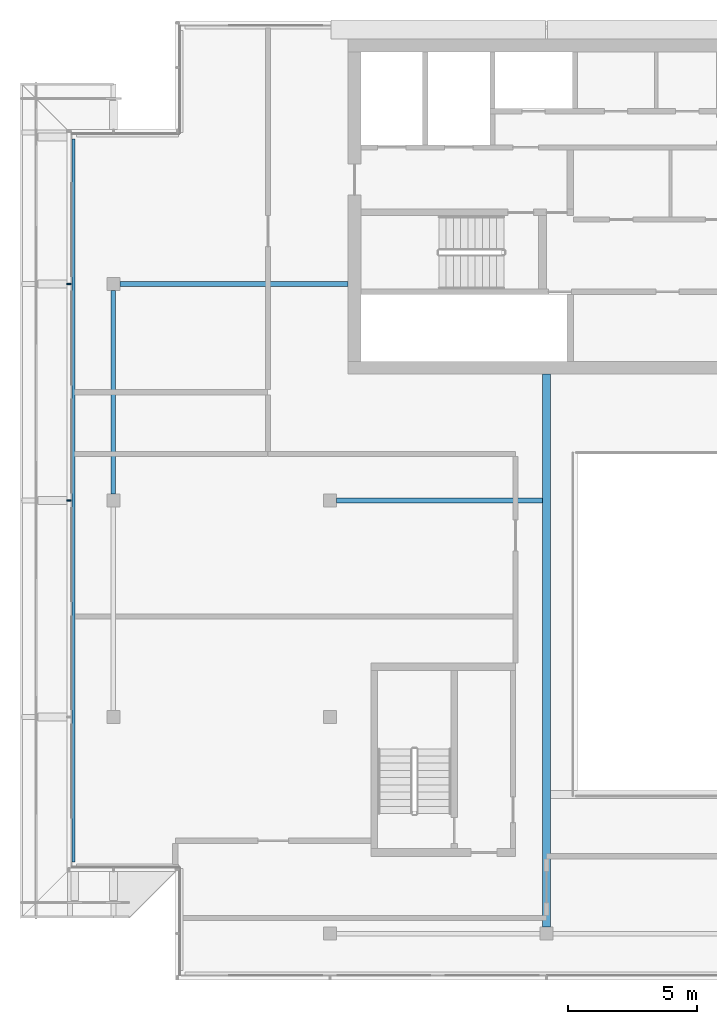
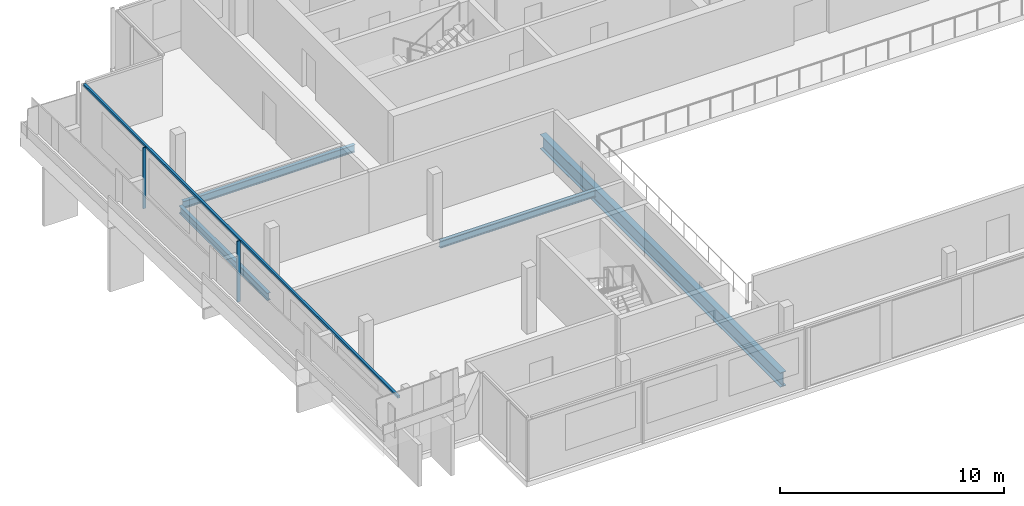
# One storey, part 3 of 20: 4 beams, 3 members, 1 element without a shape of its own.
"""IFC4 building model written with IfcOpenShell, lengths in metres."""

from ifc_helpers import new_model, si_unit, direction, frame, origin, origin_2d, place, context, subcontext, project, spatial, rectangle, i_section, extrude, material, material_profile, profile_set, type_object, element, aggregate, save


model = new_model("IFC4")

# Units and contexts
model_context = context("Model", 3, precision=1e-05, world=origin(), true_north=direction((0.0, 1.0)))
body_context = subcontext(model_context, "Body", "Model", "MODEL_VIEW")
ifc_project = project(units=[si_unit("LENGTHUNIT", "METRE"), si_unit("AREAUNIT", "SQUARE_METRE"), si_unit("VOLUMEUNIT", "CUBIC_METRE"), si_unit("PLANEANGLEUNIT", "RADIAN"), si_unit("MASSUNIT", "GRAM", prefix="KILO")], contexts=[model_context])

# Site, building, storey
site_placement = place(None, origin())
site = spatial("IfcSite", under=ifc_project, at=site_placement, CompositionType="ELEMENT")
building_placement = place(site_placement, origin())
building = spatial("IfcBuilding", under=site, at=building_placement, Name="Saffron Gate Tower", CompositionType="ELEMENT")
storey_placement = place(building_placement, frame((0.0, 0.0, 303.14990234375)))
storey = spatial("IfcBuildingStorey", under=building, at=storey_placement, Name="L74", CompositionType="ELEMENT", Elevation=303.14990234375)

# Beams
ifc_material_1 = material(Name="Structural steel S355", Category="steel")
ifc_material_profile_1 = material_profile(ifc_material_1, i_section(OverallWidth=0.300048828125, OverallDepth=0.7900390625, WebThickness=0.014892578125, FlangeThickness=0.028076171875, FilletRadius=0.030029296875, at=origin_2d()))
ifc_profile_set_1 = profile_set([ifc_material_profile_1], Name="Structural steel S355")
beam_type_1 = type_object("IfcBeamType", Name="B18 HEA 800", PredefinedType="BEAM", material=ifc_profile_set_1)
beam_1_placement = place(storey_placement, frame((75.0, 40.449951171875, -0.6748046875), z_axis=(0.0, 1.0, 0.0), x_axis=(-1.0, 0.0, 0.0)))
element("IfcBeam", 1, at=beam_1_placement, inside=storey, type_object=beam_type_1, Name="B18 ATRIUM GIRDER", PredefinedType="BEAM", context=body_context, shape_type="SweptSolid", body=[
    extrude(i_section(OverallWidth=0.300048828125, OverallDepth=0.7900390625, WebThickness=0.014892578125, FlangeThickness=0.028076171875, FilletRadius=0.030029296875, at=origin_2d()), origin(), (0.0, 0.0, 1.0), 21.449951171875),
])
ifc_material_profile_2 = material_profile(ifc_material_1, i_section(OverallWidth=0.179931640625, OverallDepth=0.39990234375, WebThickness=0.008544921875, FlangeThickness=0.013427734375, FilletRadius=0.02099609375, at=origin_2d()))
ifc_profile_set_2 = profile_set([ifc_material_profile_2], Name="Structural steel S355")
beam_type_2 = type_object("IfcBeamType", Name="B4 IPE 400", PredefinedType="BEAM", material=ifc_profile_set_2)
beam_2_placement = place(storey_placement, frame((66.85009765625, 57.0, -0.47998046875), z_axis=(1.0, 0.0, 0.0), x_axis=(0.0, 1.0, 0.0)))
element("IfcBeam", 2, at=beam_2_placement, inside=storey, type_object=beam_type_2, Name="B4 CORE TIE BEAM", PredefinedType="BEAM", context=body_context, shape_type="SweptSolid", body=[
    extrude(i_section(OverallWidth=0.179931640625, OverallDepth=0.39990234375, WebThickness=0.008544921875, FlangeThickness=0.013427734375, FilletRadius=0.02099609375, at=origin_2d()), origin(), (0.0, 0.0, 1.0), 8.0),
])
beam_3_placement = place(storey_placement, frame((58.449951171875, 65.39990234375, -0.47998046875), z_axis=(1.0, 0.0, 0.0), x_axis=(0.0, 1.0, 0.0)))
element("IfcBeam", 3, at=beam_3_placement, inside=storey, type_object=beam_type_2, Name="B4 CORE TIE BEAM", PredefinedType="BEAM", context=body_context, shape_type="SweptSolid", body=[
    extrude(i_section(OverallWidth=0.179931640625, OverallDepth=0.39990234375, WebThickness=0.008544921875, FlangeThickness=0.013427734375, FilletRadius=0.02099609375, at=origin_2d()), origin(), (0.0, 0.0, 1.0), 8.85009765625),
])
ifc_material_profile_3 = material_profile(ifc_material_1, i_section(OverallWidth=0.179931640625, OverallDepth=0.39990234375, WebThickness=0.008544921875, FlangeThickness=0.013427734375, FilletRadius=0.02099609375, at=origin_2d()))
ifc_profile_set_3 = profile_set([ifc_material_profile_3], Name="Structural steel S355")
beam_type_3 = type_object("IfcBeamType", Name="B5 IPE 400", PredefinedType="SPANDREL", material=ifc_profile_set_3)
beam_4_placement = place(storey_placement, frame((58.199951171875, 57.25, -0.47998046875), z_axis=(0.0, 1.0, 0.0), x_axis=(-1.0, 0.0, 0.0)))
element("IfcBeam", 4, at=beam_4_placement, inside=storey, type_object=beam_type_3, Name="B5 SPANDREL BEAM", PredefinedType="SPANDREL", context=body_context, shape_type="SweptSolid", body=[
    extrude(i_section(OverallWidth=0.179931640625, OverallDepth=0.39990234375, WebThickness=0.008544921875, FlangeThickness=0.013427734375, FilletRadius=0.02099609375, at=origin_2d()), origin(), (0.0, 0.0, 1.0), 7.89990234375),
])

# Curtain wall, members
ifc_material_2 = material(Name="Aluminium, bronze anodised", Category="aluminium")
curtain_wall_type = type_object("IfcCurtainWallType", Name="CWS2 curtain wall side facades", PredefinedType="NOTDEFINED", material=ifc_material_2)
curtain_wall_placement = place(storey_placement, origin())
curtain_wall = element("IfcCurtainWall", 5, at=curtain_wall_placement, inside=storey, type_object=curtain_wall_type, Name="CWS2 run 10", PredefinedType="NOTDEFINED")
ifc_material_profile_4 = material_profile(ifc_material_2, rectangle(XDim=0.1201171875, YDim=0.1201171875, at=origin_2d()))
ifc_profile_set_4 = profile_set([ifc_material_profile_4], Name="Aluminium, bronze anodised")
member_type_1 = type_object("IfcMemberType", Name="CWS2 head transom", PredefinedType="USERDEFINED", material=ifc_profile_set_4)
member_1_placement = place(storey_placement, frame((56.64794921875, 71.031982421875, 3.260009765625), z_axis=(0.0, -1.0, 0.0), x_axis=(1.0, 0.0, 0.0)))
member_1 = element("IfcMember", 6, at=member_1_placement, type_object=member_type_1, Name="CWS2 head transom", ObjectType="TRANSOM", PredefinedType="USERDEFINED", context=body_context, shape_type="SweptSolid", body=[
    extrude(rectangle(XDim=0.1201171875, YDim=0.1201171875, at=origin_2d()), origin(), (0.0, 0.0, 1.0), 28.06396484375),
])
ifc_material_profile_5 = material_profile(ifc_material_2, rectangle(XDim=0.159912109375, YDim=0.06005859375, at=origin_2d()))
ifc_profile_set_5 = profile_set([ifc_material_profile_5], Name="Aluminium, bronze anodised")
member_type_2 = type_object("IfcMemberType", Name="CWS2 mullion 60x160", PredefinedType="MULLION", material=ifc_profile_set_5)
member_2_placement = place(storey_placement, frame((56.47998046875, 65.39990234375, 0.0), z_axis=(0.0, 0.0, 1.0), x_axis=(1.0, 0.0, 0.0)))
member_2 = element("IfcMember", 7, at=member_2_placement, type_object=member_type_2, Name="CWS2 mullion 2", PredefinedType="MULLION", context=body_context, shape_type="SweptSolid", body=[
    extrude(rectangle(XDim=0.159912109375, YDim=0.06005859375, at=origin_2d()), origin(), (0.0, 0.0, 1.0), 3.320068359375),
])
member_3_placement = place(storey_placement, frame((56.47998046875, 57.0, 0.0), z_axis=(0.0, 0.0, 1.0), x_axis=(1.0, 0.0, 0.0)))
member_3 = element("IfcMember", 8, at=member_3_placement, type_object=member_type_2, Name="CWS2 mullion 3", PredefinedType="MULLION", context=body_context, shape_type="SweptSolid", body=[
    extrude(rectangle(XDim=0.159912109375, YDim=0.06005859375, at=origin_2d()), origin(), (0.0, 0.0, 1.0), 3.320068359375),
])
aggregate(curtain_wall, [member_2, member_3, member_1])

save(model, "model.ifc")
